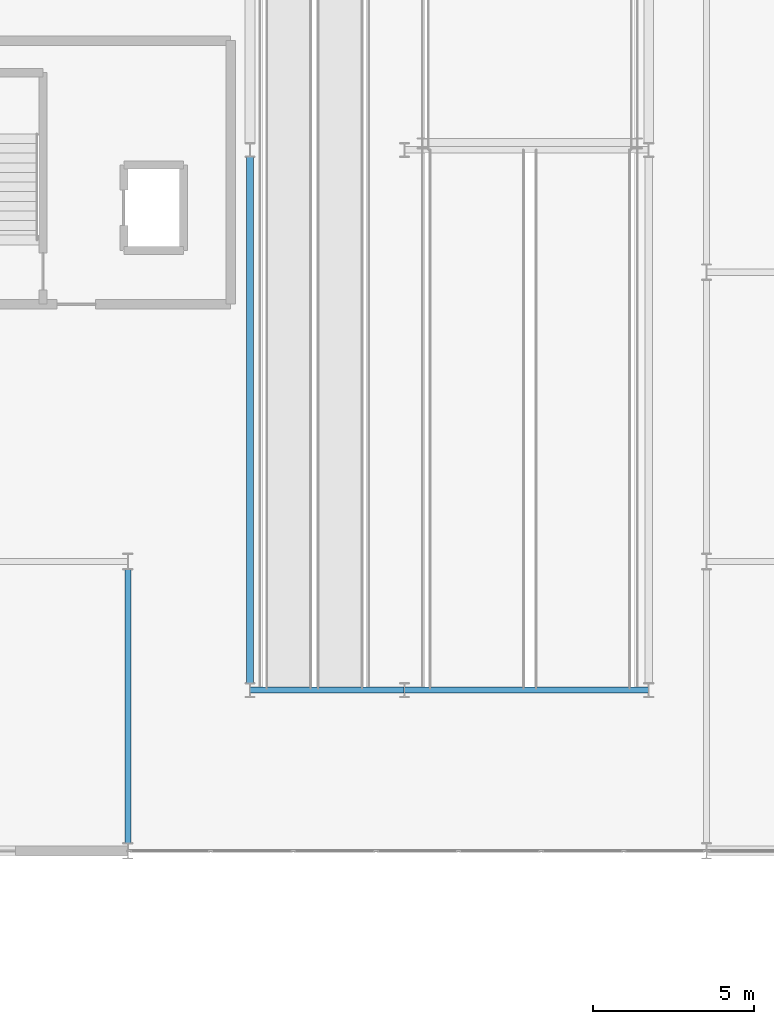
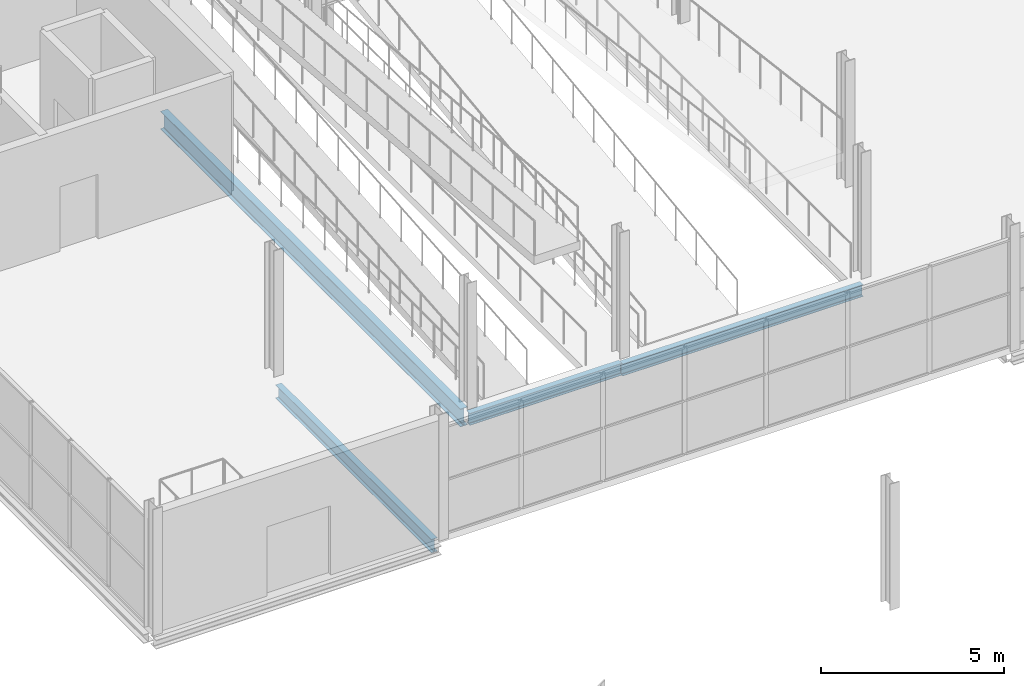
# One storey, part 62 of 140: 4 beams.
"""IFC4 building model written with IfcOpenShell, lengths in metres."""

from ifc_helpers import new_model, si_unit, direction, frame, origin, origin_2d, place, context, subcontext, project, spatial, i_section, extrude, material, material_profile, profile_set, type_object, element, save


model = new_model("IFC4")

# Units and contexts
model_context = context("Model", 3, precision=1e-05, world=origin(), true_north=direction((0.0, 1.0)))
body_context = subcontext(model_context, "Body", "Model", "MODEL_VIEW")
ifc_project = project(units=[si_unit("LENGTHUNIT", "METRE"), si_unit("AREAUNIT", "SQUARE_METRE"), si_unit("VOLUMEUNIT", "CUBIC_METRE"), si_unit("PLANEANGLEUNIT", "RADIAN"), si_unit("MASSUNIT", "GRAM", prefix="KILO")], contexts=[model_context])

# Site, building, storey
site_placement = place(None, origin())
site = spatial("IfcSite", under=ifc_project, at=site_placement, CompositionType="ELEMENT")
building_placement = place(site_placement, origin())
building = spatial("IfcBuilding", under=site, at=building_placement, Name="Deido Ridge Mobility Hub", CompositionType="ELEMENT")
storey_placement = place(building_placement, origin())
storey = spatial("IfcBuildingStorey", under=building, at=storey_placement, Name="L00", CompositionType="ELEMENT", Elevation=0.0)

# Beams
ifc_material = material(Name="Steel S355J2 EN 10025-2", Category="steel")
ifc_material_profile_1 = material_profile(ifc_material, i_section(OverallWidth=0.179931640625, OverallDepth=0.39990234375, WebThickness=0.008544921875, FlangeThickness=0.013427734375, FilletRadius=0.02099609375, at=origin_2d()), Name="IPE 400")
ifc_profile_set_1 = profile_set([ifc_material_profile_1], Name="Steel S355J2 EN 10025-2")
beam_type_1 = type_object("IfcBeamType", Name="BM-IPE400", PredefinedType="BEAM", material=ifc_profile_set_1)
beam_1_placement = place(storey_placement, frame((84.806884765625, 50.0, -0.4599609375), z_axis=(1.0, 0.0, 0.0), x_axis=(0.0, 1.0, 0.0)))
element("IfcBeam", 1, at=beam_1_placement, inside=storey, type_object=beam_type_1, Name="Floor beam B5", PredefinedType="BEAM", context=body_context, shape_type="SweptSolid", body=[
    extrude(i_section(OverallWidth=0.179931640625, OverallDepth=0.39990234375, WebThickness=0.008544921875, FlangeThickness=0.013427734375, FilletRadius=0.02099609375, at=origin_2d()), origin(), (0.0, 0.0, 1.0), 4.7861328125),
])
beam_2_placement = place(storey_placement, frame((89.60693359375, 50.0, -0.5), z_axis=(1.0, 0.0, 0.0), x_axis=(0.0, 1.0, 0.0)))
element("IfcBeam", 2, at=beam_2_placement, inside=storey, type_object=beam_type_1, Name="Floor beam B5", PredefinedType="BEAM", context=body_context, shape_type="SweptSolid", body=[
    extrude(i_section(OverallWidth=0.179931640625, OverallDepth=0.39990234375, WebThickness=0.008544921875, FlangeThickness=0.013427734375, FilletRadius=0.02099609375, at=origin_2d()), origin(), (0.0, 0.0, 1.0), 7.586181640625),
])
ifc_material_profile_2 = material_profile(ifc_material, i_section(OverallWidth=0.18994140625, OverallDepth=0.449951171875, WebThickness=0.009521484375, FlangeThickness=0.0146484375, FilletRadius=0.02099609375, at=origin_2d()), Name="IPE 450")
ifc_profile_set_2 = profile_set([ifc_material_profile_2], Name="Steel S355J2 EN 10025-2")
beam_type_2 = type_object("IfcBeamType", Name="BM-IPE450", PredefinedType="BEAM", material=ifc_profile_set_2)
beam_3_placement = place(storey_placement, frame((81.0, 45.25, -0.485107421875), z_axis=(0.0, 1.0, 0.0), x_axis=(-1.0, 0.0, 0.0)))
element("IfcBeam", 3, at=beam_3_placement, inside=storey, type_object=beam_type_2, Name="Floor beam B4", PredefinedType="BEAM", context=body_context, shape_type="SweptSolid", body=[
    extrude(i_section(OverallWidth=0.18994140625, OverallDepth=0.449951171875, WebThickness=0.009521484375, FlangeThickness=0.0146484375, FilletRadius=0.02099609375, at=origin_2d()), origin(), (0.0, 0.0, 1.0), 8.5),
])
ifc_material_profile_3 = material_profile(ifc_material, i_section(OverallWidth=0.219970703125, OverallDepth=0.60009765625, WebThickness=0.011962890625, FlangeThickness=0.01904296875, FilletRadius=0.02392578125, at=origin_2d()), Name="IPE 600")
ifc_profile_set_3 = profile_set([ifc_material_profile_3], Name="Steel S355J2 EN 10025-2")
beam_type_3 = type_object("IfcBeamType", Name="BM-IPE600", PredefinedType="BEAM", material=ifc_profile_set_3)
beam_4_placement = place(storey_placement, frame((84.800048828125, 50.22509765625, -0.56005859375), z_axis=(0.0, 1.0, 0.0), x_axis=(-1.0, 0.0, 0.0)))
element("IfcBeam", 4, at=beam_4_placement, inside=storey, type_object=beam_type_3, Name="Floor beam B1", PredefinedType="BEAM", context=body_context, shape_type="SweptSolid", body=[
    extrude(i_section(OverallWidth=0.219970703125, OverallDepth=0.60009765625, WebThickness=0.011962890625, FlangeThickness=0.01904296875, FilletRadius=0.02392578125, at=origin_2d()), origin(), (0.0, 0.0, 1.0), 16.349853515625),
])

save(model, "model.ifc")
